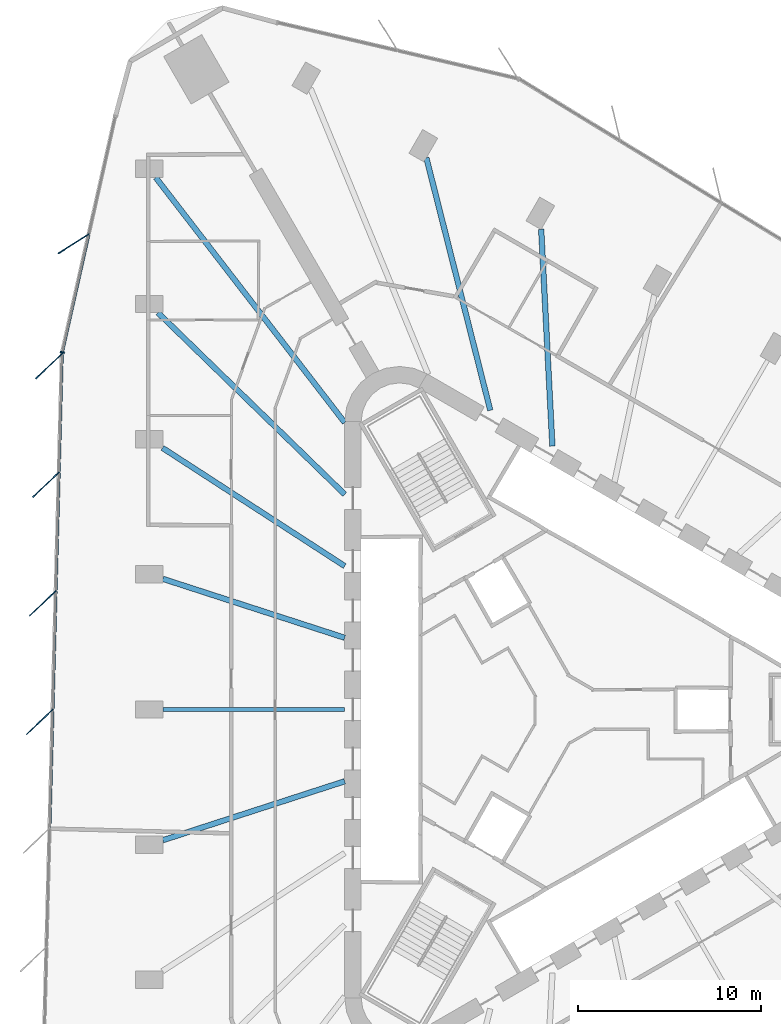
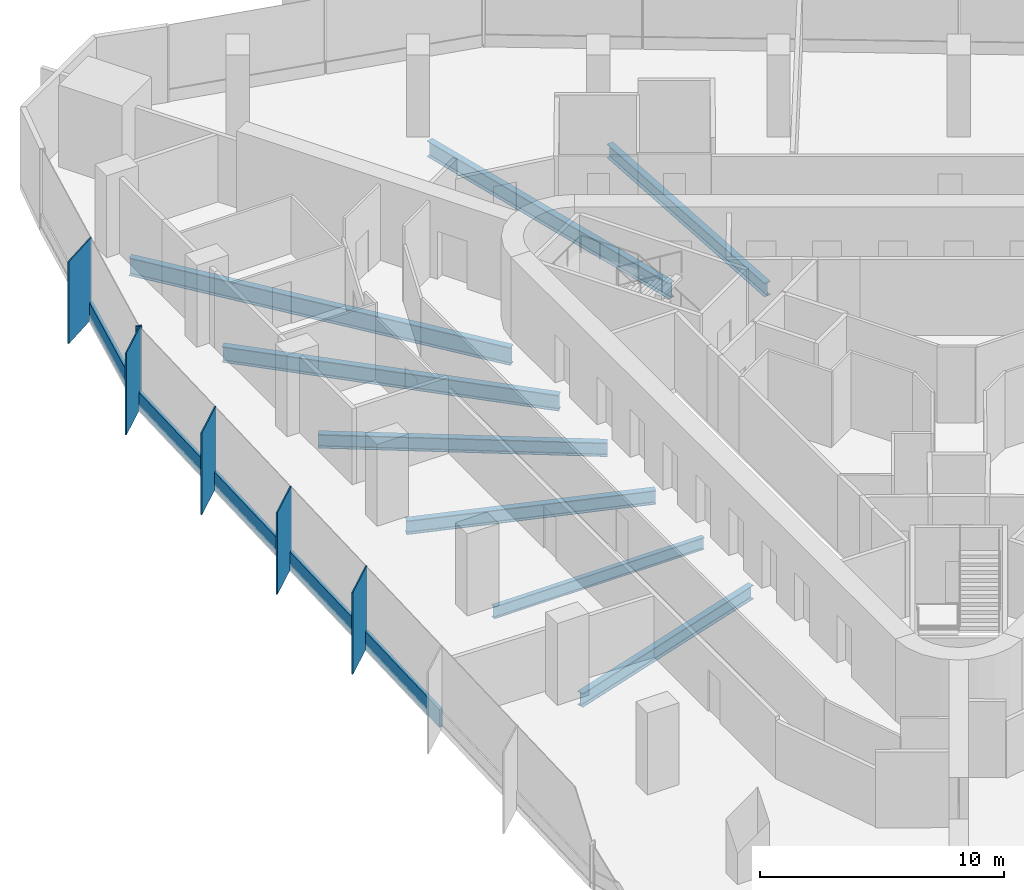
# One storey, part 4 of 14: 11 members, 8 beams, 2 elements without a shape of their own.
"""IFC4 building model written with IfcOpenShell, lengths in metres."""

import ifcopenshell
import ifcopenshell.guid

model = None  # the IFC model being written
_history = None  # IfcOwnerHistory: only IFC2X3 demands one
_inside = {}  # id of a spatial element -> (the spatial element, [elements in it])
_under = {}  # id of a project, library or spatial element -> (it, [spatial elements below it])
_declared = {}  # id of a project -> (the project, [libraries it declares])
_typed = {}  # id of a type object -> (the type object, [elements of that type])
_made_of = {}  # id of a material, layer set ... -> (it, [elements and type objects made of it])


def new_model(schema):
    """Start an empty IFC model of exactly this schema.

    Asked for "IFC4X3", IfcOpenShell would pick the latest addendum, in which some entities
    have other attributes; the version numbers below select the first issue.
    IFC2X3 requires an IfcOwnerHistory on every rooted entity: one is made here for all.
    """
    global model, _history
    if schema == "IFC4X3":
        model = ifcopenshell.file(schema_version=(4, 3, 0, 0))
    else:
        model = ifcopenshell.file(schema=schema)
    _inside.clear()
    _under.clear()
    _declared.clear()
    _typed.clear()
    _made_of.clear()
    _history = None
    if model.schema == "IFC2X3":
        org = make("IfcOrganization", Name="unknown")
        user = make(
            "IfcPersonAndOrganization",
            ThePerson=make("IfcPerson", FamilyName="unknown"),
            TheOrganization=org,
        )
        app = make(
            "IfcApplication",
            ApplicationDeveloper=org,
            Version="unknown",
            ApplicationFullName="unknown",
            ApplicationIdentifier="unknown",
        )
        _history = make(
            "IfcOwnerHistory",
            OwningUser=user,
            OwningApplication=app,
            ChangeAction="ADDED",
            CreationDate=0,
        )
    return model


def make(cls, **values):
    """One entity of the class cls with the attributes given. An attribute that is None is left unset."""
    return model.create_entity(
        cls, **{name: value for name, value in values.items() if value is not None}
    )


def rooted(cls, **values):
    """An entity with a GlobalId (a new one), such as an element, a storey or a relation."""
    return make(cls, GlobalId=ifcopenshell.guid.new(), OwnerHistory=_history, **values)


def si_unit(unit_type, name, prefix=None):
    """IfcSIUnit, for example si_unit("LENGTHUNIT", "METRE", prefix="MILLI")."""
    return make("IfcSIUnit", UnitType=unit_type, Prefix=prefix, Name=name)


def assignment(units):
    """IfcUnitAssignment: the units of a project."""
    return None if units is None else make("IfcUnitAssignment", Units=units)


def point(xyz):
    """IfcCartesianPoint."""
    return None if xyz is None else make("IfcCartesianPoint", Coordinates=xyz)


def direction(xyz):
    """IfcDirection."""
    return None if xyz is None else make("IfcDirection", DirectionRatios=xyz)


def frame(location, z_axis=None, x_axis=None):
    """IfcAxis2Placement3D, a coordinate frame: its origin and axes. An axis left out is left unset."""
    return make(
        "IfcAxis2Placement3D",
        Location=point(location),
        Axis=direction(z_axis),
        RefDirection=direction(x_axis),
    )


def frame_2d(location, x_axis=None):
    """IfcAxis2Placement2D, a coordinate frame in the plane: its origin and x axis."""
    return make(
        "IfcAxis2Placement2D", Location=point(location), RefDirection=direction(x_axis)
    )


def origin():
    """The frame at (0, 0, 0) with its axes left unset."""
    return frame((0.0, 0.0, 0.0))


def origin_2d():
    """The frame at (0, 0) in the plane with its x axis left unset."""
    return frame_2d((0.0, 0.0))


def place(relative_to, where):
    """IfcLocalPlacement: puts the frame where relative to a parent placement (None: the world)."""
    return make(
        "IfcLocalPlacement", PlacementRelTo=relative_to, RelativePlacement=where
    )


def context(
    kind, dimensions, precision=None, world=None, true_north=None, identifier=None
):
    """IfcGeometricRepresentationContext, for example the 3D "Model" context."""
    return make(
        "IfcGeometricRepresentationContext",
        ContextIdentifier=identifier,
        ContextType=kind,
        CoordinateSpaceDimension=dimensions,
        Precision=precision,
        WorldCoordinateSystem=world,
        TrueNorth=true_north,
    )


def subcontext(parent, identifier, kind, view, scale=None):
    """IfcGeometricRepresentationSubContext, for example "Body" below "Model"."""
    return make(
        "IfcGeometricRepresentationSubContext",
        ContextIdentifier=identifier,
        ContextType=kind,
        ParentContext=parent,
        TargetScale=scale,
        TargetView=view,
    )


def project(units=None, contexts=None):
    """IfcProject with its units and contexts."""
    return rooted(
        "IfcProject",
        Name="project",
        RepresentationContexts=contexts,
        UnitsInContext=assignment(units),
    )


def spatial(cls, under=None, at=None, **own):
    """A site, building, storey or space (cls), placed at a placement, below another one or the project."""
    s = rooted(cls, ObjectPlacement=at, **own)
    if under is not None:
        _under.setdefault(under.id(), (under, []))[1].append(s)
    return s


def profile(cls, at=None, kind="AREA", **sizes):
    """A parametric profile (cls). Its sizes go by their IFC names, for example OverallWidth=200.0."""
    return make(cls, ProfileType=kind, Position=at, **sizes)


def rectangle(**sizes):
    """IfcRectangleProfileDef."""
    return profile("IfcRectangleProfileDef", **sizes)


def i_section(**sizes):
    """IfcIShapeProfileDef."""
    return profile("IfcIShapeProfileDef", **sizes)


def extrude(swept, where, along, depth):
    """IfcExtrudedAreaSolid: the profile swept, set in the frame where, extruded along a direction by depth."""
    return make(
        "IfcExtrudedAreaSolid",
        SweptArea=swept,
        Position=where,
        ExtrudedDirection=direction(along),
        Depth=depth,
    )


def shape(context_of_items, identifier, shape_type, items):
    """IfcShapeRepresentation: the items that make up one representation, for example the "Body"."""
    return make(
        "IfcShapeRepresentation",
        ContextOfItems=context_of_items,
        RepresentationIdentifier=identifier,
        RepresentationType=shape_type,
        Items=items,
    )


def material(Name=None, Category=None):
    """IfcMaterial."""
    return make("IfcMaterial", Name=Name, Category=Category)


def material_profile(
    of_material, cross_section, Name=None, Category=None, Priority=None
):
    """IfcMaterialProfile: a cross section and its material."""
    return make(
        "IfcMaterialProfile",
        Name=Name,
        Material=of_material,
        Profile=cross_section,
        Priority=Priority,
        Category=Category,
    )


def profile_set(profiles, Name=None, composite=None):
    """IfcMaterialProfileSet."""
    return make(
        "IfcMaterialProfileSet",
        Name=Name,
        MaterialProfiles=profiles,
        CompositeProfile=composite,
    )


def made_of(thing, what):
    """Note that an element or type object is made of a material, layer set ...; save() writes the relation."""
    if what is not None:
        _made_of.setdefault(what.id(), (what, []))[1].append(thing)
    return thing


def type_object(cls, material=None, **own):
    """A type object (cls), such as IfcWallType, which elements share."""
    return made_of(rooted(cls, **own), material)


def element(
    cls,
    number,
    at=None,
    inside=None,
    cuts=None,
    type_object=None,
    material=None,
    context=None,
    identifier="Body",
    shape_type=None,
    held_by="IfcProductDefinitionShape",
    body=None,
    shapes=None,
    **own,
):
    """One element of the class cls, such as IfcWall. Its Tag is "e" and its number.

    at: its placement. inside: the storey or other place that contains it. cuts: it is an
    opening in that element (IfcRelVoidsElement). A single representation is given by context,
    identifier, shape_type and body (its items); several are given by shapes. held_by: the class
    of the entity that holds the representations. save() writes the other relations.
    """
    e = rooted(cls, Tag="e%d" % number, ObjectPlacement=at, **own)
    if body is not None:
        shapes = [shape(context, identifier, shape_type, body)]
    if shapes is not None:
        e.Representation = make(held_by, Representations=shapes)
    if inside is not None:
        _inside.setdefault(inside.id(), (inside, []))[1].append(e)
    if cuts is not None:
        rooted(
            "IfcRelVoidsElement", RelatingBuildingElement=cuts, RelatedOpeningElement=e
        )
    if type_object is not None:
        _typed.setdefault(type_object.id(), (type_object, []))[1].append(e)
    return made_of(e, material)


def aggregate(whole, parts):
    """IfcRelAggregates: a whole, such as a stair, and the parts it consists of."""
    return rooted("IfcRelAggregates", RelatingObject=whole, RelatedObjects=parts)


def save(model, path):
    """Write the relations noted so far, then the file.

    IfcRelAggregates (storeys below a building ...), IfcRelContainedInSpatialStructure (elements
    in a storey), IfcRelDefinesByType, IfcRelAssociatesMaterial and IfcRelDeclares: one each for
    every whole, place, type object, material and project.
    """
    for whole, parts in _under.values():
        aggregate(whole, parts)
    for where, things in _inside.values():
        rooted(
            "IfcRelContainedInSpatialStructure",
            RelatedElements=things,
            RelatingStructure=where,
        )
    for kind, things in _typed.values():
        rooted("IfcRelDefinesByType", RelatedObjects=things, RelatingType=kind)
    for what, things in _made_of.values():
        rooted("IfcRelAssociatesMaterial", RelatedObjects=things, RelatingMaterial=what)
    for by, libraries in _declared.values():
        rooted("IfcRelDeclares", RelatingContext=by, RelatedDefinitions=libraries)
    model.write(path)


model = new_model("IFC4")

# Units and contexts
model_context = context("Model", 3, precision=1e-05, world=origin(), true_north=direction((0.0, 1.0)))
body_context = subcontext(model_context, "Body", "Model", "MODEL_VIEW")
ifc_project = project(units=[si_unit("LENGTHUNIT", "METRE"), si_unit("AREAUNIT", "SQUARE_METRE"), si_unit("VOLUMEUNIT", "CUBIC_METRE"), si_unit("PLANEANGLEUNIT", "RADIAN"), si_unit("MASSUNIT", "GRAM", prefix="KILO")], contexts=[model_context])

# Site, building, storey
site_placement = place(None, origin())
site = spatial("IfcSite", under=ifc_project, at=site_placement, CompositionType="ELEMENT")
building_placement = place(site_placement, origin())
building = spatial("IfcBuilding", under=site, at=building_placement, Name="Tanit Gate Tower", CompositionType="ELEMENT")
storey_placement = place(building_placement, frame((0.0, 0.0, 127.5)))
storey = spatial("IfcBuildingStorey", under=building, at=storey_placement, Name="L27", CompositionType="ELEMENT", Elevation=127.5)

# Curtain wall, member
ifc_material_1 = material(Name="Aluminium bronze anodised and glass", Category="aluminium")
curtain_wall_type = type_object("IfcCurtainWallType", Name="Curtain wall typical low", PredefinedType="NOTDEFINED", material=ifc_material_1)
curtain_wall_1_placement = place(storey_placement, origin())
curtain_wall_1 = element("IfcCurtainWall", 1, at=curtain_wall_1_placement, inside=storey, type_object=curtain_wall_type, Name="Curtain wall L27 W1", PredefinedType="NOTDEFINED")
ifc_material_2 = material(Name="Aluminium bronze anodised", Category="aluminium")
ifc_material_profile_1 = material_profile(ifc_material_2, rectangle(XDim=2.0, YDim=0.055908203125, at=origin_2d()), Name="56x2000 bronze fin mullion")
ifc_profile_set_1 = profile_set([ifc_material_profile_1], Name="Aluminium bronze anodised")
member_type_1 = type_object("IfcMemberType", Name="FIN MULLION 56x2000 bronze", PredefinedType="MULLION", material=ifc_profile_set_1)
member_1_placement = place(storey_placement, frame((-26.922607421875, 25.471435546875, -0.300048828125), z_axis=(0.0, 0.0, 1.0), x_axis=(0.845158107773, 0.534516391579, 0.0)))
member_1 = element("IfcMember", 2, at=member_1_placement, type_object=member_type_1, Name="Fin mullion L27 W1.2", PredefinedType="MULLION", context=body_context, shape_type="SweptSolid", body=[
    extrude(rectangle(XDim=2.0, YDim=0.055908203125, at=origin_2d()), origin(), (0.0, 0.0, 1.0), 4.10009765625),
])

# Curtain wall, members
curtain_wall_2_placement = place(storey_placement, origin())
curtain_wall_2 = element("IfcCurtainWall", 3, at=curtain_wall_2_placement, inside=storey, type_object=curtain_wall_type, Name="Curtain wall L27 W2", PredefinedType="NOTDEFINED")
member_2_placement = place(storey_placement, frame((-28.269287109375, 18.7841796875, -0.300048828125), z_axis=(0.0, 0.0, 1.0), x_axis=(0.725295571884, 0.688437603131, 0.0)))
member_2 = element("IfcMember", 4, at=member_2_placement, type_object=member_type_1, Name="Fin mullion L27 W2.1", PredefinedType="MULLION", context=body_context, shape_type="SweptSolid", body=[
    extrude(rectangle(XDim=2.0, YDim=0.055908203125, at=origin_2d()), origin(), (0.0, 0.0, 1.0), 4.10009765625),
])
member_3_placement = place(storey_placement, frame((-28.438232421875, 12.298583984375, -0.300048828125), z_axis=(0.0, 0.0, 1.0), x_axis=(0.725295571884, 0.688437603131, 0.0)))
member_3 = element("IfcMember", 5, at=member_3_placement, type_object=member_type_1, Name="Fin mullion L27 W2.2", PredefinedType="MULLION", context=body_context, shape_type="SweptSolid", body=[
    extrude(rectangle(XDim=2.0, YDim=0.055908203125, at=origin_2d()), origin(), (0.0, 0.0, 1.0), 4.10009765625),
])
member_4_placement = place(storey_placement, frame((-28.607421875, 5.813232421875, -0.300048828125), z_axis=(0.0, 0.0, 1.0), x_axis=(0.725295571884, 0.688437603131, 0.0)))
member_4 = element("IfcMember", 6, at=member_4_placement, type_object=member_type_1, Name="Fin mullion L27 W2.3", PredefinedType="MULLION", context=body_context, shape_type="SweptSolid", body=[
    extrude(rectangle(XDim=2.0, YDim=0.055908203125, at=origin_2d()), origin(), (0.0, 0.0, 1.0), 4.10009765625),
])
member_5_placement = place(storey_placement, frame((-28.776611328125, -0.672119140625, -0.300048828125), z_axis=(0.0, 0.0, 1.0), x_axis=(0.725295571884, 0.688437603131, 0.0)))
member_5 = element("IfcMember", 7, at=member_5_placement, type_object=member_type_1, Name="Fin mullion L27 W2.4", PredefinedType="MULLION", context=body_context, shape_type="SweptSolid", body=[
    extrude(rectangle(XDim=2.0, YDim=0.055908203125, at=origin_2d()), origin(), (0.0, 0.0, 1.0), 4.10009765625),
])

# Member
ifc_material_3 = material(Name="Aluminium bronze anodised", Category="aluminium")
ifc_material_profile_2 = material_profile(ifc_material_3, rectangle(XDim=0.239990234375, YDim=0.080078125, at=origin_2d()), Name="80x240 bronze mullion")
ifc_profile_set_2 = profile_set([ifc_material_profile_2], Name="Aluminium bronze anodised")
member_type_2 = type_object("IfcMemberType", Name="Mullion 80x240 typical low", PredefinedType="MULLION", material=ifc_profile_set_2)
member_6_placement = place(storey_placement, frame((-27.550537109375, 19.535888671875, -0.300048828125), z_axis=(0.0, 0.0, 1.0), x_axis=(0.975577194321, -0.21965686404, 0.0)))
member_6 = element("IfcMember", 8, at=member_6_placement, type_object=member_type_2, Name="Mullion L27 W1.3", PredefinedType="MULLION", context=body_context, shape_type="SweptSolid", body=[
    extrude(rectangle(XDim=0.239990234375, YDim=0.080078125, at=origin_2d()), origin(), (0.0, 0.0, 1.0), 4.10009765625),
])

# Beams
ifc_material_4 = material(Name="Steel S355", Category="steel")
ifc_material_profile_3 = material_profile(ifc_material_4, i_section(OverallWidth=0.300048828125, OverallDepth=0.68994140625, WebThickness=0.014404296875, FlangeThickness=0.027099609375, FilletRadius=0.027099609375, at=origin_2d()), Name="HEA 700")
ifc_profile_set_3 = profile_set([ifc_material_profile_3], Name="Steel S355")
beam_type_1 = type_object("IfcBeamType", Name="RADIAL GIRDER HEA 700 S355", PredefinedType="BEAM", material=ifc_profile_set_3)
beam_1_placement = place(storey_placement, frame((-22.05029296875, -7.148193359375, -0.64501953125), z_axis=(0.95126095363, 0.308387091329, 0.0), x_axis=(-0.308387091329, 0.95126095363, 0.0)))
element("IfcBeam", 9, at=beam_1_placement, inside=storey, type_object=beam_type_1, Name="RADIAL GIRDER", PredefinedType="BEAM", context=body_context, shape_type="SweptSolid", body=[
    extrude(i_section(OverallWidth=0.300048828125, OverallDepth=0.68994140625, WebThickness=0.014404296875, FlangeThickness=0.027099609375, FilletRadius=0.027099609375, at=origin_2d()), origin(), (0.0, 0.0, 1.0), 10.4580078125),
])
for number, where, z_axis, x_axis, name in (
    (10, (-1.357177734375, 26.264892578125, -0.64501953125), (0.051595349466, -0.998668072942, 0.0), (0.998668072942, 0.051595349466, 0.0), "RADIAL GIRDER"),
    (11, (-22.067626953125, 14.307861328125, -0.64501953125), (0.839066280254, -0.54402920633, 0.0), (0.54402920633, 0.839066280254, 0.0), "RADIAL GIRDER"),
):
    element("IfcBeam", number, at=place(storey_placement, frame(where, z_axis=z_axis, x_axis=x_axis)), inside=storey, type_object=beam_type_1, Name=name, PredefinedType="BEAM", context=body_context, shape_type="SweptSolid", body=[
        extrude(i_section(OverallWidth=0.300048828125, OverallDepth=0.68994140625, WebThickness=0.014404296875, FlangeThickness=0.027099609375, FilletRadius=0.027099609375, at=origin_2d()), origin(), (0.0, 0.0, 1.0), 11.876953125),
    ])
beam_2_placement = place(storey_placement, frame((-22.05029296875, 7.148193359375, -0.64501953125), z_axis=(0.95126095363, -0.308387091329, 0.0), x_axis=(0.308387091329, 0.95126095363, 0.0)))
element("IfcBeam", 12, at=beam_2_placement, inside=storey, type_object=beam_type_1, Name="RADIAL GIRDER", PredefinedType="BEAM", context=body_context, shape_type="SweptSolid", body=[
    extrude(i_section(OverallWidth=0.300048828125, OverallDepth=0.68994140625, WebThickness=0.014404296875, FlangeThickness=0.027099609375, FilletRadius=0.027099609375, at=origin_2d()), origin(), (0.0, 0.0, 1.0), 10.4580078125),
])
ifc_material_5 = material(Name="Steel S355", Category="steel")
ifc_material_profile_4 = material_profile(ifc_material_5, i_section(OverallWidth=0.300048828125, OverallDepth=0.7900390625, WebThickness=0.014892578125, FlangeThickness=0.028076171875, FilletRadius=0.030029296875, at=origin_2d()), Name="HEA 800")
ifc_profile_set_4 = profile_set([ifc_material_profile_4], Name="Steel S355")
beam_type_2 = type_object("IfcBeamType", Name="RADIAL GIRDER HEA 800 S355", PredefinedType="BEAM", material=ifc_profile_set_4)
for number, where, z_axis, x_axis, name in (
    (13, (-7.63623046875, 30.172119140625, -0.695068359375), (0.245341928532, -0.969436608605, 0.0), (0.969436608605, 0.245341928532, 0.0), "RADIAL GIRDER"),
    (14, (-22.311767578125, 21.69921875, -0.695068359375), (0.716878053462, -0.697198577497, 0.0), (0.697198577497, 0.716878053462, 0.0), "RADIAL GIRDER"),
):
    element("IfcBeam", number, at=place(storey_placement, frame(where, z_axis=z_axis, x_axis=x_axis)), inside=storey, type_object=beam_type_2, Name=name, PredefinedType="BEAM", context=body_context, shape_type="SweptSolid", body=[
        extrude(i_section(OverallWidth=0.300048828125, OverallDepth=0.7900390625, WebThickness=0.014892578125, FlangeThickness=0.028076171875, FilletRadius=0.030029296875, at=origin_2d()), origin(), (0.0, 0.0, 1.0), 14.241943359375),
    ])
ifc_material_6 = material(Name="Steel S355", Category="steel")
ifc_material_profile_5 = material_profile(ifc_material_6, i_section(OverallWidth=0.300048828125, OverallDepth=0.889892578125, WebThickness=0.01611328125, FlangeThickness=0.030029296875, FilletRadius=0.030029296875, at=origin_2d()), Name="HEA 900")
ifc_profile_set_5 = profile_set([ifc_material_profile_5], Name="Steel S355")
beam_type_3 = type_object("IfcBeamType", Name="RADIAL GIRDER HEA 900 S355", PredefinedType="BEAM", material=ifc_profile_set_5)
beam_3_placement = place(storey_placement, frame((-22.433837890625, 29.0908203125, -0.7451171875), z_axis=(0.610670590599, -0.791884732633, 0.0), x_axis=(0.791884732633, 0.610670590599, 0.0)))
element("IfcBeam", 15, at=beam_3_placement, inside=storey, type_object=beam_type_3, Name="RADIAL GIRDER", PredefinedType="BEAM", context=body_context, shape_type="SweptSolid", body=[
    extrude(i_section(OverallWidth=0.300048828125, OverallDepth=0.889892578125, WebThickness=0.01611328125, FlangeThickness=0.030029296875, FilletRadius=0.030029296875, at=origin_2d()), origin(), (0.0, 0.0, 1.0), 16.918701171875),
])
ifc_material_7 = material(Name="Steel S355", Category="steel")
ifc_material_profile_6 = material_profile(ifc_material_7, i_section(OverallWidth=0.219970703125, OverallDepth=0.60009765625, WebThickness=0.011962890625, FlangeThickness=0.01904296875, FilletRadius=0.02392578125, at=origin_2d()), Name="IPE 600")
ifc_profile_set_6 = profile_set([ifc_material_profile_6], Name="Steel S355")
beam_type_4 = type_object("IfcBeamType", Name="RADIAL GIRDER IPE 600 S355", PredefinedType="BEAM", material=ifc_profile_set_6)
beam_4_placement = place(storey_placement, frame((-22.05029296875, 0.0, -0.60009765625), z_axis=(1.0, 0.0, 0.0), x_axis=(0.0, 1.0, 0.0)))
element("IfcBeam", 16, at=beam_4_placement, inside=storey, type_object=beam_type_4, Name="RADIAL GIRDER", PredefinedType="BEAM", context=body_context, shape_type="SweptSolid", body=[
    extrude(i_section(OverallWidth=0.219970703125, OverallDepth=0.60009765625, WebThickness=0.011962890625, FlangeThickness=0.01904296875, FilletRadius=0.02392578125, at=origin_2d()), origin(), (0.0, 0.0, 1.0), 9.9482421875),
])

# Member
ifc_material_8 = material(Name="Aluminium bronze anodised", Category="aluminium")
ifc_material_profile_7 = material_profile(ifc_material_8, rectangle(XDim=0.159912109375, YDim=0.89990234375, at=origin_2d()), Name="160x900 bronze transom")
ifc_profile_set_7 = profile_set([ifc_material_profile_7], Name="Aluminium bronze anodised")
member_type_3 = type_object("IfcMemberType", Name="Transom 160x900 typical low", PredefinedType="USERDEFINED", material=ifc_profile_set_7)
member_7_placement = place(storey_placement, frame((-26.105224609375, 25.954833984375, 0.14990234375), z_axis=(-0.219664987345, -0.975575365277, 0.0), x_axis=(0.975575365277, -0.219664987345, 0.0)))
member_7 = element("IfcMember", 17, at=member_7_placement, type_object=member_type_3, Name="Transom L27 W1.2", ObjectType="TRANSOM", PredefinedType="USERDEFINED", context=body_context, shape_type="SweptSolid", body=[
    extrude(rectangle(XDim=0.159912109375, YDim=0.89990234375, at=origin_2d()), origin(), (0.0, 0.0, 1.0), 6.53955078125),
])

aggregate(curtain_wall_1, [member_1, member_6, member_7])

member_8_placement = place(storey_placement, frame((-27.5615234375, 19.4169921875, 0.14990234375), z_axis=(-0.026061199028, -0.999660349271, 0.0), x_axis=(0.999660349271, -0.026061199028, 0.0)))
member_8 = element("IfcMember", 18, at=member_8_placement, type_object=member_type_3, Name="Transom L27 W2.1", ObjectType="TRANSOM", PredefinedType="USERDEFINED", context=body_context, shape_type="SweptSolid", body=[
    extrude(rectangle(XDim=0.159912109375, YDim=0.89990234375, at=origin_2d()), origin(), (0.0, 0.0, 1.0), 6.40771484375),
])

member_9_placement = place(storey_placement, frame((-27.73046875, 12.931640625, 0.14990234375), z_axis=(-0.026061199028, -0.999660349271, 0.0), x_axis=(0.999660349271, -0.026061199028, 0.0)))
member_9 = element("IfcMember", 19, at=member_9_placement, type_object=member_type_3, Name="Transom L27 W2.2", ObjectType="TRANSOM", PredefinedType="USERDEFINED", context=body_context, shape_type="SweptSolid", body=[
    extrude(rectangle(XDim=0.159912109375, YDim=0.89990234375, at=origin_2d()), origin(), (0.0, 0.0, 1.0), 6.40771484375),
])

member_10_placement = place(storey_placement, frame((-27.899658203125, 6.4462890625, 0.14990234375), z_axis=(-0.026060206441, -0.999660375148, 0.0), x_axis=(0.999660375148, -0.026060206441, 0.0)))
member_10 = element("IfcMember", 20, at=member_10_placement, type_object=member_type_3, Name="Transom L27 W2.3", ObjectType="TRANSOM", PredefinedType="USERDEFINED", context=body_context, shape_type="SweptSolid", body=[
    extrude(rectangle(XDim=0.159912109375, YDim=0.89990234375, at=origin_2d()), origin(), (0.0, 0.0, 1.0), 6.407958984375),
])

member_11_placement = place(storey_placement, frame((-28.068603515625, -0.039306640625, 0.14990234375), z_axis=(-0.026061199028, -0.999660349271, 0.0), x_axis=(0.999660349271, -0.026061199028, 0.0)))
member_11 = element("IfcMember", 21, at=member_11_placement, type_object=member_type_3, Name="Transom L27 W2.4", ObjectType="TRANSOM", PredefinedType="USERDEFINED", context=body_context, shape_type="SweptSolid", body=[
    extrude(rectangle(XDim=0.159912109375, YDim=0.89990234375, at=origin_2d()), origin(), (0.0, 0.0, 1.0), 6.40771484375),
])

aggregate(curtain_wall_2, [member_2, member_3, member_4, member_5, member_8, member_9, member_10, member_11])

save(model, "model.ifc")
